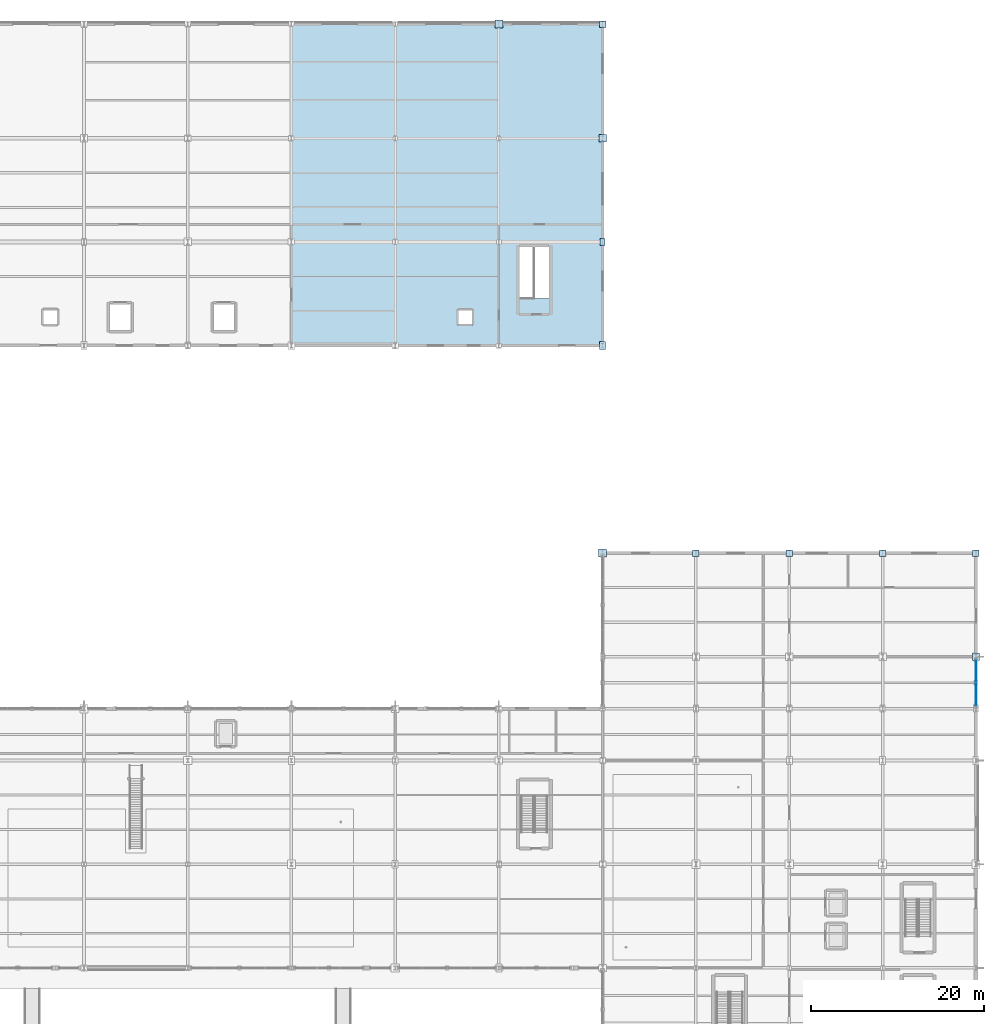
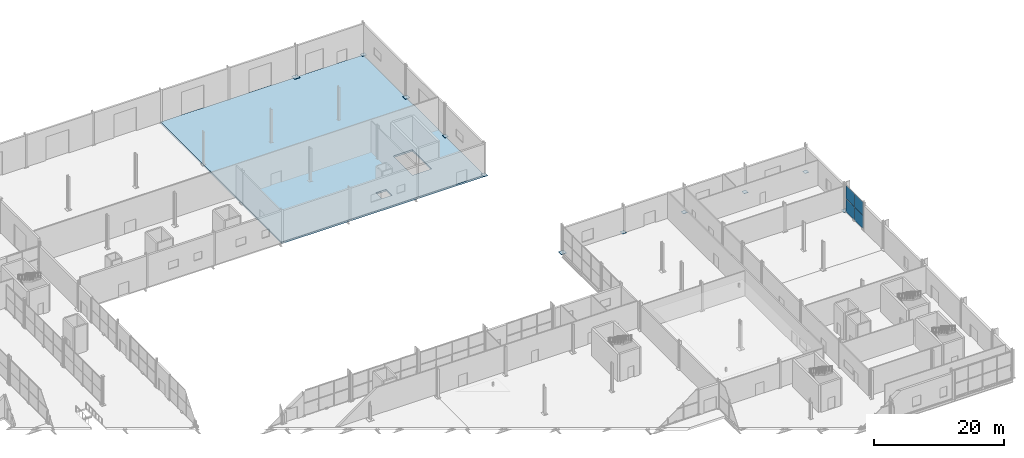
# One storey, part 152 of 196: 15 plates, 1 slab, 1 element without a shape of its own.
"""IFC4 building model written with IfcOpenShell, lengths in metres."""

from ifc_helpers import new_model, si_unit, direction, frame, origin, origin_2d, place, context, subcontext, project, spatial, polyline, rectangle, outline, extrude, material, layer, layer_set, type_object, element, aggregate, save


model = new_model("IFC4")

# Units and contexts
model_context = context("Model", 3, precision=1e-05, world=origin(), true_north=direction((0.0, 1.0)))
body_context = subcontext(model_context, "Body", "Model", "MODEL_VIEW")
ifc_project = project(units=[si_unit("LENGTHUNIT", "METRE"), si_unit("AREAUNIT", "SQUARE_METRE"), si_unit("VOLUMEUNIT", "CUBIC_METRE"), si_unit("PLANEANGLEUNIT", "RADIAN"), si_unit("MASSUNIT", "GRAM", prefix="KILO")], contexts=[model_context])

# Site, building, storey
site_placement = place(None, origin())
site = spatial("IfcSite", under=ifc_project, at=site_placement, CompositionType="ELEMENT")
building_placement = place(site_placement, origin())
building = spatial("IfcBuilding", under=site, at=building_placement, Name="Merenkruunu Market Hall", CompositionType="ELEMENT")
storey_placement = place(building_placement, origin())
storey = spatial("IfcBuildingStorey", under=building, at=storey_placement, Name="L00", CompositionType="ELEMENT", Elevation=0.0)

# Plates
ifc_material_1 = material(Name="Steel S355ML", Category="steel")
ifc_layer_1 = layer(ifc_material_1, 0.044921875)
ifc_layer_set_1 = layer_set([ifc_layer_1], Name="Steel S355ML")
plate_type_1 = type_object("IfcPlateType", Name="Column Base Plate BP01", PredefinedType="USERDEFINED", material=ifc_layer_set_1)
for number, where, z_axis, x_axis, name in (
    (1, (148.800048828125, 111.60009765625, 0.0), (0.0, 0.0, 1.0), (1.0, 0.0, 0.0), "PLT-BP-Q-12"),
    (2, (192.0, 51.60009765625, 0.0), (0.0, 0.0, 1.0), (1.0, 0.0, 0.0), "PLT-BP-U-07"),
):
    element("IfcPlate", number, at=place(storey_placement, frame(where, z_axis=z_axis, x_axis=x_axis)), inside=storey, type_object=plate_type_1, Name=name, ObjectType="BASE_PLATE", PredefinedType="USERDEFINED", context=body_context, shape_type="SweptSolid", body=[
        extrude(rectangle(XDim=0.85009765625, YDim=0.85009765625, at=origin_2d()), origin(), (0.0, 0.0, 1.0), 0.044921875),
    ])
ifc_layer_2 = layer(ifc_material_1, 0.0400390625)
ifc_layer_set_2 = layer_set([ifc_layer_2], Name="Steel S355ML")
plate_type_2 = type_object("IfcPlateType", Name="Column Base Plate BP02", PredefinedType="USERDEFINED", material=ifc_layer_set_2)
for number, where, z_axis, x_axis, name in (
    (3, (148.800048828125, 124.800048828125, 0.0), (0.0, 0.0, 1.0), (1.0, 0.0, 0.0), "PLT-BP-Q-13"),
    (4, (159.60009765625, 63.60009765625, 0.0), (0.0, 0.0, 1.0), (1.0, 0.0, 0.0), "PLT-BP-R-08"),
    (5, (170.39990234375, 63.60009765625, 0.0), (0.0, 0.0, 1.0), (1.0, 0.0, 0.0), "PLT-BP-S-08"),
    (6, (181.199951171875, 63.60009765625, 0.0), (0.0, 0.0, 1.0), (1.0, 0.0, 0.0), "PLT-BP-T-08"),
    (7, (192.0, 63.60009765625, 0.0), (0.0, 0.0, 1.0), (1.0, 0.0, 0.0), "PLT-BP-U-08"),
):
    element("IfcPlate", number, at=place(storey_placement, frame(where, z_axis=z_axis, x_axis=x_axis)), inside=storey, type_object=plate_type_2, Name=name, ObjectType="BASE_PLATE", PredefinedType="USERDEFINED", context=body_context, shape_type="SweptSolid", body=[
        extrude(rectangle(XDim=0.75, YDim=0.75, at=origin_2d()), origin(), (0.0, 0.0, 1.0), 0.0400390625),
    ])
ifc_layer_3 = layer(ifc_material_1, 0.050048828125)
ifc_layer_set_3 = layer_set([ifc_layer_3], Name="Steel S355ML")
plate_type_3 = type_object("IfcPlateType", Name="Column Base Plate BP06", PredefinedType="USERDEFINED", material=ifc_layer_set_3)
for number, where, z_axis, x_axis, name in (
    (8, (136.800048828125, 124.800048828125, 0.0), (0.0, 0.0, 1.0), (1.0, 0.0, 0.0), "PLT-BP-P-13"),
    (9, (148.800048828125, 63.60009765625, 0.0), (0.0, 0.0, 1.0), (1.0, 0.0, 0.0), "PLT-BP-Q-08"),
):
    element("IfcPlate", number, at=place(storey_placement, frame(where, z_axis=z_axis, x_axis=x_axis)), inside=storey, type_object=plate_type_3, Name=name, ObjectType="BASE_PLATE", PredefinedType="USERDEFINED", context=body_context, shape_type="SweptSolid", body=[
        extrude(rectangle(XDim=0.949951171875, YDim=0.949951171875, at=origin_2d()), origin(), (0.0, 0.0, 1.0), 0.050048828125),
    ])
ifc_layer_4 = layer(ifc_material_1, 0.0419921875)
ifc_layer_set_4 = layer_set([ifc_layer_4], Name="Steel S355ML")
plate_type_4 = type_object("IfcPlateType", Name="Column Base Plate BP07", PredefinedType="USERDEFINED", material=ifc_layer_set_4)
plate_1_placement = place(storey_placement, frame((148.800048828125, 87.60009765625, 0.0), z_axis=(0.0, 0.0, 1.0), x_axis=(1.0, 0.0, 0.0)))
element("IfcPlate", 10, at=plate_1_placement, inside=storey, type_object=plate_type_4, Name="PLT-BP-Q-10", ObjectType="BASE_PLATE", PredefinedType="USERDEFINED", context=body_context, shape_type="SweptSolid", body=[
    extrude(rectangle(XDim=0.699951171875, YDim=0.89990234375, at=origin_2d()), origin(), (0.0, 0.0, 1.0), 0.0419921875),
])
ifc_layer_5 = layer(ifc_material_1, 0.0380859375)
ifc_layer_set_5 = layer_set([ifc_layer_5], Name="Steel S355ML")
plate_type_5 = type_object("IfcPlateType", Name="Column Base Plate BP08", PredefinedType="USERDEFINED", material=ifc_layer_set_5)
plate_2_placement = place(storey_placement, frame((148.800048828125, 99.60009765625, 0.0), z_axis=(0.0, 0.0, 1.0), x_axis=(1.0, 0.0, 0.0)))
element("IfcPlate", 11, at=plate_2_placement, inside=storey, type_object=plate_type_5, Name="PLT-BP-Q-11", ObjectType="BASE_PLATE", PredefinedType="USERDEFINED", context=body_context, shape_type="SweptSolid", body=[
    extrude(rectangle(XDim=0.60009765625, YDim=0.800048828125, at=origin_2d()), origin(), (0.0, 0.0, 1.0), 0.0380859375),
])

# Curtain wall, plates
ifc_material_2 = material(Name="Powder-coated aluminium", Category="aluminium")
curtain_wall_type = type_object("IfcCurtainWallType", Name="Glazed Curtain Wall CW13", PredefinedType="USERDEFINED", material=ifc_material_2)
curtain_wall_placement = place(storey_placement, origin())
curtain_wall = element("IfcCurtainWall", 12, at=curtain_wall_placement, inside=storey, type_object=curtain_wall_type, Name="CW-L00-CWM03-203", ObjectType="GLAZED_FACADE", PredefinedType="USERDEFINED")
ifc_material_3 = material(Name="Powder-coated aluminium spandrel panel", Category="aluminium")
ifc_layer_6 = layer(ifc_material_3, 0.0419921875)
ifc_layer_set_6 = layer_set([ifc_layer_6], Name="Powder-coated aluminium spandrel panel")
plate_type_6 = type_object("IfcPlateType", Name="Curtain Wall Glazing Panel CWP06", PredefinedType="CURTAIN_PANEL", material=ifc_layer_set_6)
plate_3_placement = place(storey_placement, frame((192.0, 49.945068359375, 0.06005859375), z_axis=(0.0, 0.0, 1.0), x_axis=(0.0, -1.0, 0.0)))
plate_3 = element("IfcPlate", 13, at=plate_3_placement, type_object=plate_type_6, Name="CW13 panel 1.1", PredefinedType="CURTAIN_PANEL", context=body_context, shape_type="SweptSolid", body=[
    extrude(rectangle(XDim=2.6298828125, YDim=0.0419921875, at=origin_2d()), origin(), (0.0, 0.0, 1.0), 2.43505859375),
])
plate_4_placement = place(storey_placement, frame((192.0, 49.945068359375, 2.554931640625), z_axis=(0.0, 0.0, 1.0), x_axis=(0.0, -1.0, 0.0)))
plate_4 = element("IfcPlate", 14, at=plate_4_placement, type_object=plate_type_6, Name="CW13 panel 1.2", PredefinedType="CURTAIN_PANEL", context=body_context, shape_type="SweptSolid", body=[
    extrude(rectangle(XDim=2.6298828125, YDim=0.0419921875, at=origin_2d()), origin(), (0.0, 0.0, 1.0), 2.43505859375),
])
plate_5_placement = place(storey_placement, frame((192.0, 47.2548828125, 0.06005859375), z_axis=(0.0, 0.0, 1.0), x_axis=(0.0, -1.0, 0.0)))
plate_5 = element("IfcPlate", 15, at=plate_5_placement, type_object=plate_type_6, Name="CW13 panel 2.1", PredefinedType="CURTAIN_PANEL", context=body_context, shape_type="SweptSolid", body=[
    extrude(rectangle(XDim=2.6298828125, YDim=0.0419921875, at=origin_2d()), origin(), (0.0, 0.0, 1.0), 2.43505859375),
])
plate_6_placement = place(storey_placement, frame((192.0, 47.2548828125, 2.554931640625), z_axis=(0.0, 0.0, 1.0), x_axis=(0.0, -1.0, 0.0)))
plate_6 = element("IfcPlate", 16, at=plate_6_placement, type_object=plate_type_6, Name="CW13 panel 2.2", PredefinedType="CURTAIN_PANEL", context=body_context, shape_type="SweptSolid", body=[
    extrude(rectangle(XDim=2.6298828125, YDim=0.0419921875, at=origin_2d()), origin(), (0.0, 0.0, 1.0), 2.43505859375),
])
aggregate(curtain_wall, [plate_3, plate_4, plate_5, plate_6])

# Slab
ifc_material_4 = material(Name="Concrete C35/45", Category="concrete")
ifc_layer_7 = layer(ifc_material_4, 0.340087890625)
ifc_layer_set_7 = layer_set([ifc_layer_7], Name="Concrete C35/45")
slab_type = type_object("IfcSlabType", Name="Suspended Floor Slab FS01", PredefinedType="FLOOR", material=ifc_layer_set_7)
slab_placement = place(storey_placement, frame((0.0, 0.0, -0.340087890625)))
element("IfcSlab", 17, at=slab_placement, inside=storey, type_object=slab_type, Name="SL-L00-V5E", PredefinedType="FLOOR", context=body_context, shape_type="SweptSolid", body=[
    extrude(outline(polyline([(112.800048828125, 87.60009765625), (148.800048828125, 87.60009765625), (148.800048828125, 124.800048828125), (112.800048828125, 124.800048828125), (112.800048828125, 87.60009765625)]), holes=[polyline([(139.18994140625, 93.06005859375), (142.610107421875, 93.06005859375), (142.610107421875, 99.010009765625), (139.18994140625, 99.010009765625), (139.18994140625, 93.06005859375)]), polyline([(132.0, 90.0), (133.800048828125, 90.0), (133.800048828125, 91.800048828125), (132.0, 91.800048828125), (132.0, 90.0)])]), origin(), (0.0, 0.0, 1.0), 0.340087890625),
])

save(model, "model.ifc")
